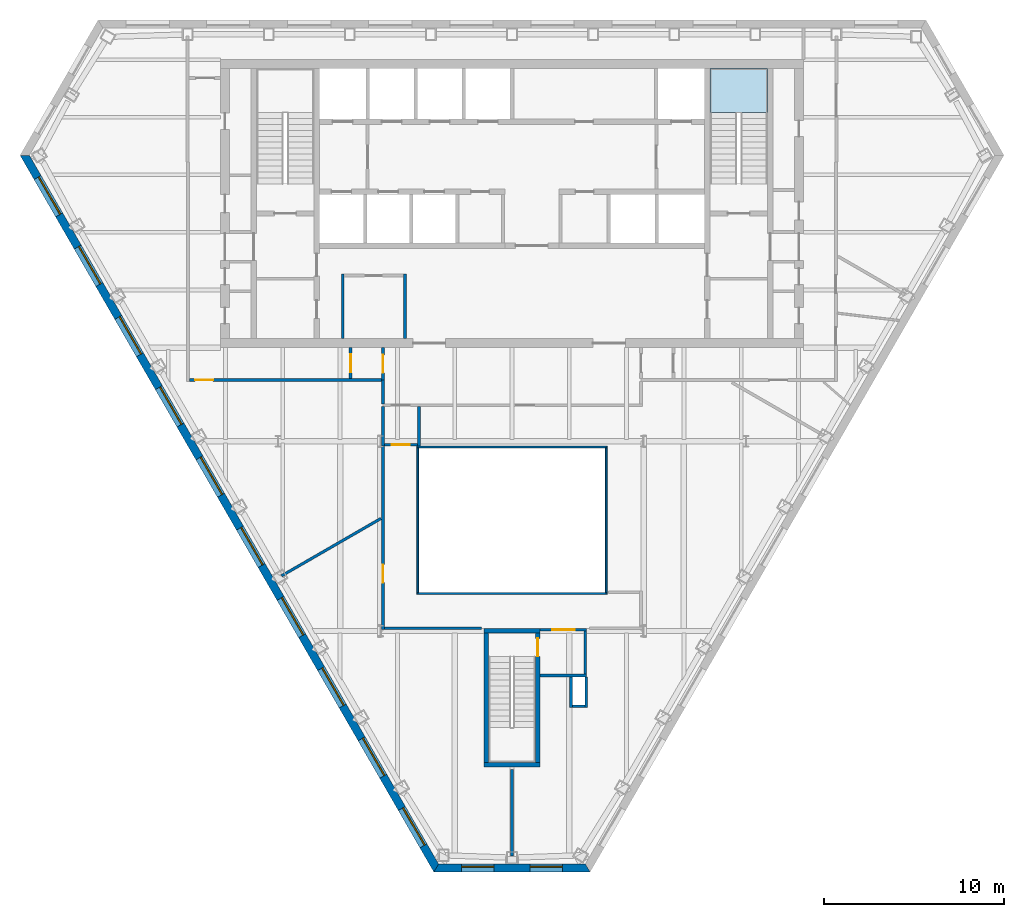
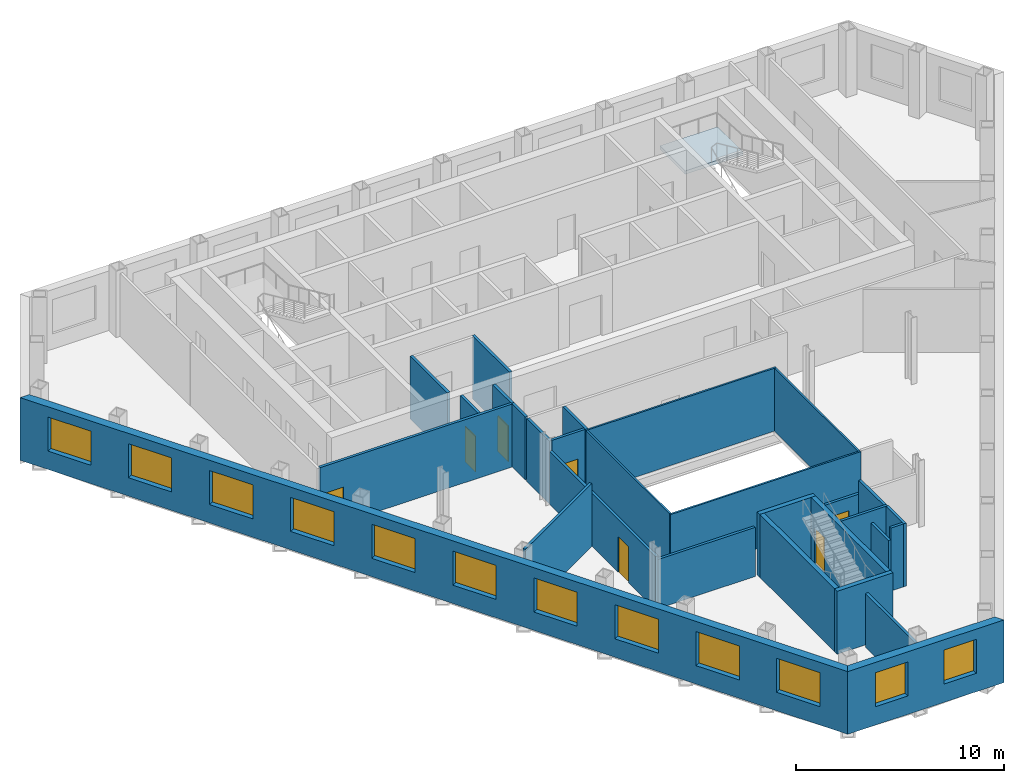
# One storey, part 4 of 11: 29 walls, 12 windows, 7 doors, 1 slab, 19 openings, 1 element without a shape of its own.
"""IFC4 building model written with IfcOpenShell, lengths in metres."""

from ifc_helpers import new_model, si_unit, direction, frame, frame_2d, origin, place, context, subcontext, project, spatial, polyline, rectangle, outline, extrude, material, layer, layer_set, type_object, element, fill, aggregate, save


model = new_model("IFC4")

# Units and contexts
model_context = context("Model", 3, precision=1e-05, world=origin(), true_north=direction((0.0, 1.0)))
body_context = subcontext(model_context, "Body", "Model", "MODEL_VIEW")
ifc_project = project(units=[si_unit("LENGTHUNIT", "METRE"), si_unit("AREAUNIT", "SQUARE_METRE"), si_unit("VOLUMEUNIT", "CUBIC_METRE"), si_unit("PLANEANGLEUNIT", "RADIAN"), si_unit("MASSUNIT", "GRAM", prefix="KILO")], contexts=[model_context])

# Site, building, storey
site_placement = place(None, origin())
site = spatial("IfcSite", under=ifc_project, at=site_placement, CompositionType="ELEMENT")
building_placement = place(site_placement, origin())
building = spatial("IfcBuilding", under=site, at=building_placement, Name="Njiva Tower", CompositionType="ELEMENT")
storey_placement = place(building_placement, frame((0.0, 0.0, 151.5)))
storey = spatial("IfcBuildingStorey", under=building, at=storey_placement, Name="L32", CompositionType="ELEMENT", Elevation=151.5)

# Stair, slab
ifc_material_1 = material(Name="Concrete C40/50", Category="concrete")
stair_type = type_object("IfcStairType", Name="ST4 Exit stair 1500", PredefinedType="HALF_TURN_STAIR", material=ifc_material_1)
stair_placement = place(storey_placement, origin())
stair = element("IfcStair", 1, at=stair_placement, inside=storey, type_object=stair_type, Name="Stair B", PredefinedType="HALF_TURN_STAIR")
ifc_layer_1 = layer(ifc_material_1, 0.2)
ifc_layer_set_1 = layer_set([ifc_layer_1], Name="Concrete C40/50")
slab_type = type_object("IfcSlabType", Name="FL9 Stair landing 200", PredefinedType="LANDING", material=ifc_layer_set_1)
slab_placement = place(storey_placement, frame((0.0, 0.0, 1.75)))
slab = element("IfcSlab", 2, at=slab_placement, type_object=slab_type, Name="ST-B landing 1", PredefinedType="LANDING", context=body_context, shape_type="SweptSolid", body=[
    extrude(outline(polyline([(10.994, 15.06), (14.206, 15.06), (14.206, 17.5), (10.994, 17.5), (10.994, 15.06)])), origin(), (0.0, 0.0, 1.0), 0.2),
])
aggregate(stair, [slab])

# Walls
ifc_material_2 = material(Name="Blockwork", Category="masonry")
ifc_layer_2 = layer(ifc_material_2, 0.15)
ifc_layer_set_2 = layer_set([ifc_layer_2], Name="Blockwork")
wall_type_1 = type_object("IfcWallType", Name="WT1 Compartment partition 150", PredefinedType="PARTITIONING", material=ifc_layer_set_2)
for number, where, z_axis, x_axis, name in (
    (3, (-9.4, 2.5, 0.0), (0.0, 0.0, 1.0), (0.0, 1.0, 0.0), "Information office wall west"),
    (4, (-5.95, 2.5, 0.0), (0.0, 0.0, 1.0), (0.0, 1.0, 0.0), "Information office wall east"),
):
    element("IfcWall", number, at=place(storey_placement, frame(where, z_axis=z_axis, x_axis=x_axis)), inside=storey, type_object=wall_type_1, Name=name, PredefinedType="PARTITIONING", context=body_context, shape_type="SweptSolid", body=[
        extrude(rectangle(XDim=3.575, YDim=0.15, at=frame_2d((1.7875, 0.0))), origin(), (0.0, 0.0, 1.0), 3.7),
    ])

# Wall, opening, door
ifc_material_3 = material(Name="Gypsum board on steel studs", Category="gypsum")
ifc_layer_3 = layer(ifc_material_3, 0.15)
ifc_layer_set_3 = layer_set([ifc_layer_3], Name="Gypsum board on steel studs")
wall_type_2 = type_object("IfcWallType", Name="WT21 Compartment wall 150", PredefinedType="PARTITIONING", material=ifc_layer_set_3)
wall_1_placement = place(storey_placement, frame((-17.925, 0.2, 0.0), z_axis=(0.0, 0.0, 1.0), x_axis=(1.0, 0.0, 0.0)))
wall_1 = element("IfcWall", 5, at=wall_1_placement, inside=storey, type_object=wall_type_2, Name="Partition S11-P004", PredefinedType="PARTITIONING", context=body_context, shape_type="SweptSolid", body=[
    extrude(rectangle(XDim=10.68, YDim=0.15, at=frame_2d((5.34, 0.0))), origin(), (0.0, 0.0, 1.0), 3.7),
])
opening_1_placement = place(wall_1_placement, frame((0.312, 0.0, 0.0)))
opening_1 = element("IfcOpeningElement", 6, at=opening_1_placement, cuts=wall_1, Name="Opening S11-D002", PredefinedType="OPENING", context=body_context, shape_type="SweptSolid", body=[
    extrude(rectangle(XDim=1.0, YDim=2.1, at=frame_2d((0.5, 1.05))), frame((0.0, 0.085, 0.0), z_axis=(0.0, -1.0, 0.0), x_axis=(1.0, 0.0, 0.0)), (0.0, 0.0, 1.0), 0.17),
])
ifc_material_4 = material(Name="Steel fire door set", Category="steel")
door_type_1 = type_object("IfcDoorType", Name="D37 Fire door 1000x2100", OperationType="SINGLE_SWING_LEFT", PredefinedType="DOOR", material=ifc_material_4)
door_1_placement = place(opening_1_placement, origin())
door_1 = element("IfcDoor", 7, at=door_1_placement, inside=storey, type_object=door_type_1, Name="Door S11-D002", OperationType="SINGLE_SWING_LEFT", OverallHeight=2.1, OverallWidth=1.0, PredefinedType="DOOR", context=body_context, shape_type="SweptSolid", body=[
    extrude(rectangle(XDim=1.0, YDim=2.1, at=frame_2d((0.5, 1.05))), frame((0.0, 0.025, 0.0), z_axis=(0.0, -1.0, 0.0), x_axis=(1.0, 0.0, 0.0)), (0.0, 0.0, 1.0), 0.05),
])
fill(opening_1, door_1)

# Wall
wall_2_placement = place(storey_placement, frame((-12.805, -10.684, 0.0), z_axis=(0.0, 0.0, 1.0), x_axis=(0.866073306909, 0.499917020175, 0.0)))
element("IfcWall", 8, at=wall_2_placement, inside=storey, type_object=wall_type_2, Name="Partition S11-P005", PredefinedType="PARTITIONING", context=body_context, shape_type="SweptSolid", body=[
    extrude(rectangle(XDim=6.3771, YDim=0.15, at=frame_2d((3.1886, 0.0))), origin(), (0.0, 0.0, 1.0), 3.7),
])

# Wall, opening, door
wall_3_placement = place(storey_placement, frame((-8.97, 0.275, 0.0), z_axis=(0.0, 0.0, 1.0), x_axis=(0.0, 1.0, 0.0)))
wall_3 = element("IfcWall", 9, at=wall_3_placement, inside=storey, type_object=wall_type_2, Name="Partition S11-P006", PredefinedType="PARTITIONING", context=body_context, shape_type="SweptSolid", body=[
    extrude(rectangle(XDim=1.725, YDim=0.15, at=frame_2d((0.8625, 0.0))), origin(), (0.0, 0.0, 1.0), 3.7),
])
opening_2_placement = place(wall_3_placement, frame((0.363, 0.0, 0.0)))
opening_2 = element("IfcOpeningElement", 10, at=opening_2_placement, cuts=wall_3, Name="Opening S11-D003", PredefinedType="OPENING", context=body_context, shape_type="SweptSolid", body=[
    extrude(rectangle(XDim=1.0, YDim=2.1, at=frame_2d((0.5, 1.05))), frame((0.0, 0.085, 0.0), z_axis=(0.0, -1.0, 0.0), x_axis=(1.0, 0.0, 0.0)), (0.0, 0.0, 1.0), 0.17),
])
door_2_placement = place(opening_2_placement, origin())
door_2 = element("IfcDoor", 11, at=door_2_placement, inside=storey, type_object=door_type_1, Name="Door S11-D003", OperationType="SINGLE_SWING_LEFT", OverallHeight=2.1, OverallWidth=1.0, PredefinedType="DOOR", context=body_context, shape_type="SweptSolid", body=[
    extrude(rectangle(XDim=1.0, YDim=2.1, at=frame_2d((0.5, 1.05))), frame((0.0, 0.025, 0.0), z_axis=(0.0, -1.0, 0.0), x_axis=(1.0, 0.0, 0.0)), (0.0, 0.0, 1.0), 0.05),
])
fill(opening_2, door_2)

wall_4_placement = place(storey_placement, frame((-7.17, -13.675, 0.0), z_axis=(0.0, 0.0, 1.0), x_axis=(0.0, 1.0, 0.0)))
wall_4 = element("IfcWall", 12, at=wall_4_placement, inside=storey, type_object=wall_type_2, Name="Partition S11-P007", PredefinedType="PARTITIONING", context=body_context, shape_type="SweptSolid", body=[
    extrude(rectangle(XDim=10.215, YDim=0.15, at=frame_2d((5.1075, 0.0))), origin(), (0.0, 0.0, 1.0), 3.11),
])
opening_3_placement = place(wall_4_placement, frame((2.608, 0.0, 0.0)))
opening_3 = element("IfcOpeningElement", 13, at=opening_3_placement, cuts=wall_4, Name="Opening S11-D004", PredefinedType="OPENING", context=body_context, shape_type="SweptSolid", body=[
    extrude(rectangle(XDim=1.0, YDim=2.1, at=frame_2d((0.5, 1.05))), frame((0.0, 0.085, 0.0), z_axis=(0.0, -1.0, 0.0), x_axis=(1.0, 0.0, 0.0)), (0.0, 0.0, 1.0), 0.17),
])
door_3_placement = place(opening_3_placement, origin())
door_3 = element("IfcDoor", 14, at=door_3_placement, inside=storey, type_object=door_type_1, Name="Door S11-D004", OperationType="SINGLE_SWING_RIGHT", OverallHeight=2.1, OverallWidth=1.0, PredefinedType="DOOR", context=body_context, shape_type="SweptSolid", body=[
    extrude(rectangle(XDim=1.0, YDim=2.1, at=frame_2d((0.5, 1.05))), frame((0.0, 0.025, 0.0), z_axis=(0.0, -1.0, 0.0), x_axis=(1.0, 0.0, 0.0)), (0.0, 0.0, 1.0), 0.05),
])
fill(opening_3, door_3)

# Walls
wall_5_placement = place(storey_placement, frame((-7.17, -3.46, 0.0), z_axis=(0.0, 0.0, 1.0), x_axis=(0.0, 1.0, 0.0)))
element("IfcWall", 15, at=wall_5_placement, inside=storey, type_object=wall_type_2, Name="Partition S11-P007A", PredefinedType="PARTITIONING", context=body_context, shape_type="SweptSolid", body=[
    extrude(rectangle(XDim=2.185, YDim=0.15, at=frame_2d((1.0925, 0.0))), origin(), (0.0, 0.0, 1.0), 3.7),
])
wall_6_placement = place(storey_placement, frame((-7.17, -1.125, 0.0), z_axis=(0.0, 0.0, 1.0), x_axis=(0.0, 1.0, 0.0)))
element("IfcWall", 16, at=wall_6_placement, inside=storey, type_object=wall_type_2, Name="Partition S11-P009", PredefinedType="PARTITIONING", context=body_context, shape_type="SweptSolid", body=[
    extrude(rectangle(XDim=1.322, YDim=0.15, at=frame_2d((0.661, 0.0))), origin(), (0.0, 0.0, 1.0), 3.7),
])

# Wall, opening, door
wall_7_placement = place(storey_placement, frame((-7.17, 0.2, 0.0), z_axis=(0.0, 0.0, 1.0), x_axis=(0.0, 1.0, 0.0)))
wall_7 = element("IfcWall", 17, at=wall_7_placement, inside=storey, type_object=wall_type_2, Name="Partition S11-P010", PredefinedType="PARTITIONING", context=body_context, shape_type="SweptSolid", body=[
    extrude(rectangle(XDim=1.8, YDim=0.15, at=frame_2d((0.9, 0.0))), origin(), (0.0, 0.0, 1.0), 3.7),
])
opening_4_placement = place(wall_7_placement, frame((0.4, 0.0, 0.0)))
opening_4 = element("IfcOpeningElement", 18, at=opening_4_placement, cuts=wall_7, Name="Opening S11-D007", PredefinedType="OPENING", context=body_context, shape_type="SweptSolid", body=[
    extrude(rectangle(XDim=1.0, YDim=2.1, at=frame_2d((0.5, 1.05))), frame((0.0, 0.085, 0.0), z_axis=(0.0, -1.0, 0.0), x_axis=(1.0, 0.0, 0.0)), (0.0, 0.0, 1.0), 0.17),
])
door_4_placement = place(opening_4_placement, origin())
door_4 = element("IfcDoor", 19, at=door_4_placement, inside=storey, type_object=door_type_1, Name="Door S11-D007", OperationType="SINGLE_SWING_LEFT", OverallHeight=2.1, OverallWidth=1.0, PredefinedType="DOOR", context=body_context, shape_type="SweptSolid", body=[
    extrude(rectangle(XDim=1.0, YDim=2.1, at=frame_2d((0.5, 1.05))), frame((0.0, 0.025, 0.0), z_axis=(0.0, -1.0, 0.0), x_axis=(1.0, 0.0, 0.0)), (0.0, 0.0, 1.0), 0.05),
])
fill(opening_4, door_4)

# Wall
wall_8_placement = place(storey_placement, frame((-7.095, -13.6, 0.0), z_axis=(0.0, 0.0, 1.0), x_axis=(1.0, 0.0, 0.0)))
element("IfcWall", 20, at=wall_8_placement, inside=storey, type_object=wall_type_2, Name="Partition S11-P011", PredefinedType="PARTITIONING", context=body_context, shape_type="SweptSolid", body=[
    extrude(rectangle(XDim=5.395, YDim=0.15, at=frame_2d((2.6975, 0.0))), origin(), (0.0, 0.0, 1.0), 2.886),
])

# Wall, opening, door
wall_9_placement = place(storey_placement, frame((-7.095, -3.4, 0.0), z_axis=(0.0, 0.0, 1.0), x_axis=(1.0, 0.0, 0.0)))
wall_9 = element("IfcWall", 21, at=wall_9_placement, inside=storey, type_object=wall_type_2, Name="Partition S11-P012", PredefinedType="PARTITIONING", context=body_context, shape_type="SweptSolid", body=[
    extrude(rectangle(XDim=1.85, YDim=0.15, at=frame_2d((0.925, 0.0))), origin(), (0.0, 0.0, 1.0), 3.7),
])
opening_5_placement = place(wall_9_placement, frame((0.425, 0.0, 0.0)))
opening_5 = element("IfcOpeningElement", 22, at=opening_5_placement, cuts=wall_9, Name="Opening S11-D008", PredefinedType="OPENING", context=body_context, shape_type="SweptSolid", body=[
    extrude(rectangle(XDim=1.0, YDim=2.1, at=frame_2d((0.5, 1.05))), frame((0.0, 0.085, 0.0), z_axis=(0.0, -1.0, 0.0), x_axis=(1.0, 0.0, 0.0)), (0.0, 0.0, 1.0), 0.17),
])
door_5_placement = place(opening_5_placement, origin())
door_5 = element("IfcDoor", 23, at=door_5_placement, inside=storey, type_object=door_type_1, Name="Door S11-D008", OperationType="SINGLE_SWING_LEFT", OverallHeight=2.1, OverallWidth=1.0, PredefinedType="DOOR", context=body_context, shape_type="SweptSolid", body=[
    extrude(rectangle(XDim=1.0, YDim=2.1, at=frame_2d((0.5, 1.05))), frame((0.0, 0.025, 0.0), z_axis=(0.0, -1.0, 0.0), x_axis=(1.0, 0.0, 0.0)), (0.0, 0.0, 1.0), 0.05),
])
fill(opening_5, door_5)

# Walls
wall_10_placement = place(storey_placement, frame((-5.17, -3.48, 0.0), z_axis=(0.0, 0.0, 1.0), x_axis=(0.0, 1.0, 0.0)))
element("IfcWall", 24, at=wall_10_placement, inside=storey, type_object=wall_type_2, Name="Partition S11-P013", PredefinedType="PARTITIONING", context=body_context, shape_type="SweptSolid", body=[
    extrude(rectangle(XDim=2.205, YDim=0.15, at=frame_2d((1.1025, 0.0))), origin(), (0.0, 0.0, 1.0), 3.7),
])
wall_11_placement = place(storey_placement, frame((0.0, -26.246, 0.0), z_axis=(0.0, 0.0, 1.0), x_axis=(0.0, 1.0, 0.0)))
element("IfcWall", 25, at=wall_11_placement, inside=storey, type_object=wall_type_2, Name="Partition S11-P014", PredefinedType="PARTITIONING", context=body_context, shape_type="SweptSolid", body=[
    extrude(rectangle(XDim=4.796, YDim=0.15, at=frame_2d((2.398, 0.0))), origin(), (0.0, 0.0, 1.0), 3.15),
])
ifc_layer_4 = layer(ifc_material_2, 0.15)
ifc_layer_set_4 = layer_set([ifc_layer_4], Name="Blockwork")
wall_type_3 = type_object("IfcWallType", Name="WT4 Stair partition 150", PredefinedType="PARTITIONING", material=ifc_layer_set_4)
wall_12_placement = place(storey_placement, frame((1.55, -16.225, 0.0), z_axis=(0.0, 0.0, 1.0), x_axis=(1.0, 0.0, 0.0)))
element("IfcWall", 26, at=wall_12_placement, inside=storey, type_object=wall_type_3, Name="Stair C vestibule wall south", PredefinedType="PARTITIONING", context=body_context, shape_type="SweptSolid", body=[
    extrude(rectangle(XDim=2.6, YDim=0.15, at=frame_2d((1.3, 0.0))), origin(), (0.0, 0.0, 1.0), 3.7),
])
wall_13_placement = place(storey_placement, frame((4.075, -16.15, 0.0), z_axis=(0.0, 0.0, 1.0), x_axis=(0.0, 1.0, 0.0)))
element("IfcWall", 27, at=wall_13_placement, inside=storey, type_object=wall_type_3, Name="Stair C vestibule wall east", PredefinedType="PARTITIONING", context=body_context, shape_type="SweptSolid", body=[
    extrude(rectangle(XDim=2.4, YDim=0.15, at=frame_2d((1.2, 0.0))), origin(), (0.0, 0.0, 1.0), 3.7),
])

# Wall, opening, door
wall_14_placement = place(storey_placement, frame((1.55, -13.675, 0.0), z_axis=(0.0, 0.0, 1.0), x_axis=(1.0, 0.0, 0.0)))
wall_14 = element("IfcWall", 28, at=wall_14_placement, inside=storey, type_object=wall_type_3, Name="Stair C vestibule wall north", PredefinedType="PARTITIONING", context=body_context, shape_type="SweptSolid", body=[
    extrude(rectangle(XDim=2.6, YDim=0.15, at=frame_2d((1.3, 0.0))), origin(), (0.0, 0.0, 1.0), 2.886),
])
opening_6_placement = place(wall_14_placement, frame((0.675, 0.0, 0.0)))
opening_6 = element("IfcOpeningElement", 29, at=opening_6_placement, cuts=wall_14, Name="Opening S11-D937", PredefinedType="OPENING", context=body_context, shape_type="SweptSolid", body=[
    extrude(rectangle(XDim=1.25, YDim=2.1, at=frame_2d((0.625, 1.05))), frame((0.0, 0.085, 0.0), z_axis=(0.0, -1.0, 0.0), x_axis=(1.0, 0.0, 0.0)), (0.0, 0.0, 1.0), 0.17),
])
ifc_material_5 = material(Name="Glazed steel fire door", Category="steel")
door_type_2 = type_object("IfcDoorType", Name="D8 Vestibule corridor door 1250x2100 glazed", OperationType="SINGLE_SWING_LEFT", PredefinedType="DOOR", material=ifc_material_5)
door_6_placement = place(opening_6_placement, origin())
door_6 = element("IfcDoor", 30, at=door_6_placement, inside=storey, type_object=door_type_2, Name="Stair vestibule corridor door", OperationType="SINGLE_SWING_RIGHT", OverallHeight=2.1, OverallWidth=1.25, PredefinedType="DOOR", context=body_context, shape_type="SweptSolid", body=[
    extrude(rectangle(XDim=1.25, YDim=2.1, at=frame_2d((0.625, 1.05))), frame((0.0, 0.025, 0.0), z_axis=(0.0, -1.0, 0.0), x_axis=(1.0, 0.0, 0.0)), (0.0, 0.0, 1.0), 0.05),
])
fill(opening_6, door_6)

# Walls
wall_15_placement = place(storey_placement, frame((3.275, -18.0, 0.0), z_axis=(0.0, 0.0, 1.0), x_axis=(0.0, 1.0, 0.0)))
element("IfcWall", 31, at=wall_15_placement, inside=storey, type_object=wall_type_3, Name="Stair C pressurisation shaft wall", PredefinedType="PARTITIONING", context=body_context, shape_type="SweptSolid", body=[
    extrude(rectangle(XDim=1.7, YDim=0.15, at=frame_2d((0.85, 0.0))), origin(), (0.0, 0.0, 1.0), 3.01),
])
wall_16_placement = place(storey_placement, frame((3.35, -17.925, 0.0), z_axis=(0.0, 0.0, 1.0), x_axis=(1.0, 0.0, 0.0)))
element("IfcWall", 32, at=wall_16_placement, inside=storey, type_object=wall_type_3, Name="Stair C pressurisation shaft wall", PredefinedType="PARTITIONING", context=body_context, shape_type="SweptSolid", body=[
    extrude(rectangle(XDim=0.7, YDim=0.15, at=frame_2d((0.35, 0.0))), origin(), (0.0, 0.0, 1.0), 3.7),
])
wall_17_placement = place(storey_placement, frame((4.125, -18.0, 0.0), z_axis=(0.0, 0.0, 1.0), x_axis=(0.0, 1.0, 0.0)))
element("IfcWall", 33, at=wall_17_placement, inside=storey, type_object=wall_type_3, Name="Stair C pressurisation shaft wall", PredefinedType="PARTITIONING", context=body_context, shape_type="SweptSolid", body=[
    extrude(rectangle(XDim=1.7, YDim=0.15, at=frame_2d((0.85, 0.0))), origin(), (0.0, 0.0, 1.0), 3.7),
])
ifc_layer_5 = layer(ifc_material_1, 0.25)
ifc_layer_set_5 = layer_set([ifc_layer_5], Name="Concrete C40/50")
wall_type_4 = type_object("IfcWallType", Name="WT9 Stair enclosure wall 250", PredefinedType="SHEAR", material=ifc_layer_set_5)
wall_18_placement = place(storey_placement, frame((-1.425, -21.05, 0.0), z_axis=(0.0, 0.0, 1.0), x_axis=(0.0, 1.0, 0.0)))
element("IfcWall", 34, at=wall_18_placement, inside=storey, type_object=wall_type_4, Name="Stair C wall west", PredefinedType="SHEAR", context=body_context, shape_type="SweptSolid", body=[
    extrude(rectangle(XDim=7.2, YDim=0.25, at=frame_2d((3.6, 0.0))), origin(), (0.0, 0.0, 1.0), 3.7),
])

# Wall, opening, door
wall_19_placement = place(storey_placement, frame((1.425, -21.05, 0.0), z_axis=(0.0, 0.0, 1.0), x_axis=(0.0, 1.0, 0.0)))
wall_19 = element("IfcWall", 35, at=wall_19_placement, inside=storey, type_object=wall_type_4, Name="Stair C wall east", PredefinedType="SHEAR", context=body_context, shape_type="SweptSolid", body=[
    extrude(rectangle(XDim=7.2, YDim=0.25, at=frame_2d((3.6, 0.0))), origin(), (0.0, 0.0, 1.0), 3.7),
])
opening_7_placement = place(wall_19_placement, frame((5.89, 0.0, 0.0)))
opening_7 = element("IfcOpeningElement", 36, at=opening_7_placement, cuts=wall_19, Name="Opening S11-D936", PredefinedType="OPENING", context=body_context, shape_type="SweptSolid", body=[
    extrude(rectangle(XDim=1.0, YDim=2.1, at=frame_2d((0.5, 1.05))), frame((0.0, 0.135, 0.0), z_axis=(0.0, -1.0, 0.0), x_axis=(1.0, 0.0, 0.0)), (0.0, 0.0, 1.0), 0.27),
])
door_type_3 = type_object("IfcDoorType", Name="D9 Stair vestibule door 1000x2100 glazed", OperationType="SINGLE_SWING_LEFT", PredefinedType="DOOR", material=ifc_material_5)
door_7_placement = place(opening_7_placement, origin())
door_7 = element("IfcDoor", 37, at=door_7_placement, inside=storey, type_object=door_type_3, Name="Stair C door", OperationType="SINGLE_SWING_LEFT", OverallHeight=2.1, OverallWidth=1.0, PredefinedType="DOOR", context=body_context, shape_type="SweptSolid", body=[
    extrude(rectangle(XDim=1.0, YDim=2.1, at=frame_2d((0.5, 1.05))), frame((0.0, 0.025, 0.0), z_axis=(0.0, -1.0, 0.0), x_axis=(1.0, 0.0, 0.0)), (0.0, 0.0, 1.0), 0.05),
])
fill(opening_7, door_7)

# Walls
for number, where, z_axis, x_axis, name in (
    (38, (-1.55, -21.175, 0.0), (0.0, 0.0, 1.0), (1.0, 0.0, 0.0), "Stair C wall south"),
    (39, (-1.55, -13.725, 0.0), (0.0, 0.0, 1.0), (1.0, 0.0, 0.0), "Stair C wall north"),
):
    element("IfcWall", number, at=place(storey_placement, frame(where, z_axis=z_axis, x_axis=x_axis)), inside=storey, type_object=wall_type_4, Name=name, PredefinedType="SHEAR", context=body_context, shape_type="SweptSolid", body=[
        extrude(rectangle(XDim=3.1, YDim=0.25, at=frame_2d((1.55, 0.0))), origin(), (0.0, 0.0, 1.0), 3.7),
    ])

# Wall, openings, windows
ifc_material_6 = material(Name="Brick masonry", Category="masonry")
ifc_layer_6 = layer(ifc_material_6, 0.45)
ifc_layer_set_6 = layer_set([ifc_layer_6], Name="Brick masonry")
wall_type_5 = type_object("IfcWallType", Name="WT90 Brick pier and spandrel wall 450", PredefinedType="SOLIDWALL", material=ifc_layer_set_6)
wall_20_placement = place(storey_placement, frame((-27.0752, 12.6829, -0.18), z_axis=(0.0, 0.0, 1.0), x_axis=(0.500000141277, -0.866025322218, 0.0)))
wall_20 = element("IfcWall", 40, at=wall_20_placement, inside=storey, type_object=wall_type_5, Name="Facade wall SW", PredefinedType="SOLIDWALL", context=body_context, shape_type="SweptSolid", body=[
    extrude(outline(polyline([(-0.1299, -0.225), (45.8601, -0.225), (45.6003, 0.225), (0.1299, 0.225), (-0.1299, -0.225)])), origin(), (0.0, 0.0, 1.0), 3.68),
])
opening_8_placement = place(wall_20_placement, frame((1.4237, 0.0, 1.08)))
opening_8 = element("IfcOpeningElement", 41, at=opening_8_placement, cuts=wall_20, Name="Opening S11-W12", PredefinedType="OPENING", context=body_context, shape_type="SweptSolid", body=[
    extrude(rectangle(XDim=2.4, YDim=2.0, at=frame_2d((1.2, 1.0))), frame((0.0, 0.235, 0.0), z_axis=(0.0, -1.0, 0.0), x_axis=(1.0, 0.0, 0.0)), (0.0, 0.0, 1.0), 0.47),
])
opening_9_placement = place(wall_20_placement, frame((5.8919, 0.0, 1.08)))
opening_9 = element("IfcOpeningElement", 42, at=opening_9_placement, cuts=wall_20, Name="Opening S11-W13", PredefinedType="OPENING", context=body_context, shape_type="SweptSolid", body=[
    extrude(rectangle(XDim=2.4, YDim=2.0, at=frame_2d((1.2, 1.0))), frame((0.0, 0.235, 0.0), z_axis=(0.0, -1.0, 0.0), x_axis=(1.0, 0.0, 0.0)), (0.0, 0.0, 1.0), 0.47),
])
opening_10_placement = place(wall_20_placement, frame((10.3985, 0.0, 1.08)))
opening_10 = element("IfcOpeningElement", 43, at=opening_10_placement, cuts=wall_20, Name="Opening S11-W14", PredefinedType="OPENING", context=body_context, shape_type="SweptSolid", body=[
    extrude(rectangle(XDim=2.4, YDim=2.0, at=frame_2d((1.2, 1.0))), frame((0.0, 0.235, 0.0), z_axis=(0.0, -1.0, 0.0), x_axis=(1.0, 0.0, 0.0)), (0.0, 0.0, 1.0), 0.47),
])
opening_11_placement = place(wall_20_placement, frame((14.9052, 0.0, 1.08)))
opening_11 = element("IfcOpeningElement", 44, at=opening_11_placement, cuts=wall_20, Name="Opening S11-W15", PredefinedType="OPENING", context=body_context, shape_type="SweptSolid", body=[
    extrude(rectangle(XDim=2.4, YDim=2.0, at=frame_2d((1.2, 1.0))), frame((0.0, 0.235, 0.0), z_axis=(0.0, -1.0, 0.0), x_axis=(1.0, 0.0, 0.0)), (0.0, 0.0, 1.0), 0.47),
])
opening_12_placement = place(wall_20_placement, frame((19.4118, 0.0, 1.08)))
opening_12 = element("IfcOpeningElement", 45, at=opening_12_placement, cuts=wall_20, Name="Opening S11-W16", PredefinedType="OPENING", context=body_context, shape_type="SweptSolid", body=[
    extrude(rectangle(XDim=2.4, YDim=2.0, at=frame_2d((1.2, 1.0))), frame((0.0, 0.235, 0.0), z_axis=(0.0, -1.0, 0.0), x_axis=(1.0, 0.0, 0.0)), (0.0, 0.0, 1.0), 0.47),
])
opening_13_placement = place(wall_20_placement, frame((23.9184, 0.0, 1.08)))
opening_13 = element("IfcOpeningElement", 46, at=opening_13_placement, cuts=wall_20, Name="Opening S11-W17", PredefinedType="OPENING", context=body_context, shape_type="SweptSolid", body=[
    extrude(rectangle(XDim=2.4, YDim=2.0, at=frame_2d((1.2, 1.0))), frame((0.0, 0.235, 0.0), z_axis=(0.0, -1.0, 0.0), x_axis=(1.0, 0.0, 0.0)), (0.0, 0.0, 1.0), 0.47),
])
opening_14_placement = place(wall_20_placement, frame((28.425, 0.0, 1.08)))
opening_14 = element("IfcOpeningElement", 47, at=opening_14_placement, cuts=wall_20, Name="Opening S11-W18", PredefinedType="OPENING", context=body_context, shape_type="SweptSolid", body=[
    extrude(rectangle(XDim=2.4, YDim=2.0, at=frame_2d((1.2, 1.0))), frame((0.0, 0.235, 0.0), z_axis=(0.0, -1.0, 0.0), x_axis=(1.0, 0.0, 0.0)), (0.0, 0.0, 1.0), 0.47),
])
opening_15_placement = place(wall_20_placement, frame((32.9316, 0.0, 1.08)))
opening_15 = element("IfcOpeningElement", 48, at=opening_15_placement, cuts=wall_20, Name="Opening S11-W19", PredefinedType="OPENING", context=body_context, shape_type="SweptSolid", body=[
    extrude(rectangle(XDim=2.4, YDim=2.0, at=frame_2d((1.2, 1.0))), frame((0.0, 0.235, 0.0), z_axis=(0.0, -1.0, 0.0), x_axis=(1.0, 0.0, 0.0)), (0.0, 0.0, 1.0), 0.47),
])
opening_16_placement = place(wall_20_placement, frame((37.4383, 0.0, 1.08)))
opening_16 = element("IfcOpeningElement", 49, at=opening_16_placement, cuts=wall_20, Name="Opening S11-W20", PredefinedType="OPENING", context=body_context, shape_type="SweptSolid", body=[
    extrude(rectangle(XDim=2.4, YDim=2.0, at=frame_2d((1.2, 1.0))), frame((0.0, 0.235, 0.0), z_axis=(0.0, -1.0, 0.0), x_axis=(1.0, 0.0, 0.0)), (0.0, 0.0, 1.0), 0.47),
])
opening_17_placement = place(wall_20_placement, frame((41.9065, 0.0, 1.08)))
opening_17 = element("IfcOpeningElement", 50, at=opening_17_placement, cuts=wall_20, Name="Opening S11-W21", PredefinedType="OPENING", context=body_context, shape_type="SweptSolid", body=[
    extrude(rectangle(XDim=2.4, YDim=2.0, at=frame_2d((1.2, 1.0))), frame((0.0, 0.235, 0.0), z_axis=(0.0, -1.0, 0.0), x_axis=(1.0, 0.0, 0.0)), (0.0, 0.0, 1.0), 0.47),
])
ifc_material_7 = material(Name="Clear glazing in aluminium frame", Category="aluminium")
window_type_1 = type_object("IfcWindowType", Name="W90 Deep-set window 2400x2000", PartitioningType="SINGLE_PANEL", PredefinedType="WINDOW", material=ifc_material_7)
window_1_placement = place(opening_8_placement, origin())
window_1 = element("IfcWindow", 51, at=window_1_placement, inside=storey, type_object=window_type_1, Name="Window", OverallHeight=2.0, OverallWidth=2.4, PartitioningType="SINGLE_PANEL", PredefinedType="WINDOW", context=body_context, shape_type="SweptSolid", body=[
    extrude(rectangle(XDim=2.4, YDim=2.0, at=frame_2d((1.2, 1.0))), frame((0.0, 0.105, 0.0), z_axis=(0.0, -1.0, 0.0), x_axis=(1.0, 0.0, 0.0)), (0.0, 0.0, 1.0), 0.06),
])
fill(opening_8, window_1)
window_2_placement = place(opening_9_placement, origin())
window_2 = element("IfcWindow", 52, at=window_2_placement, inside=storey, type_object=window_type_1, Name="Window", OverallHeight=2.0, OverallWidth=2.4, PartitioningType="SINGLE_PANEL", PredefinedType="WINDOW", context=body_context, shape_type="SweptSolid", body=[
    extrude(rectangle(XDim=2.4, YDim=2.0, at=frame_2d((1.2, 1.0))), frame((0.0, 0.105, 0.0), z_axis=(0.0, -1.0, 0.0), x_axis=(1.0, 0.0, 0.0)), (0.0, 0.0, 1.0), 0.06),
])
fill(opening_9, window_2)
window_3_placement = place(opening_10_placement, origin())
window_3 = element("IfcWindow", 53, at=window_3_placement, inside=storey, type_object=window_type_1, Name="Window", OverallHeight=2.0, OverallWidth=2.4, PartitioningType="SINGLE_PANEL", PredefinedType="WINDOW", context=body_context, shape_type="SweptSolid", body=[
    extrude(rectangle(XDim=2.4, YDim=2.0, at=frame_2d((1.2, 1.0))), frame((0.0, 0.105, 0.0), z_axis=(0.0, -1.0, 0.0), x_axis=(1.0, 0.0, 0.0)), (0.0, 0.0, 1.0), 0.06),
])
fill(opening_10, window_3)
window_4_placement = place(opening_11_placement, origin())
window_4 = element("IfcWindow", 54, at=window_4_placement, inside=storey, type_object=window_type_1, Name="Window", OverallHeight=2.0, OverallWidth=2.4, PartitioningType="SINGLE_PANEL", PredefinedType="WINDOW", context=body_context, shape_type="SweptSolid", body=[
    extrude(rectangle(XDim=2.4, YDim=2.0, at=frame_2d((1.2, 1.0))), frame((0.0, 0.105, 0.0), z_axis=(0.0, -1.0, 0.0), x_axis=(1.0, 0.0, 0.0)), (0.0, 0.0, 1.0), 0.06),
])
fill(opening_11, window_4)
window_5_placement = place(opening_12_placement, origin())
window_5 = element("IfcWindow", 55, at=window_5_placement, inside=storey, type_object=window_type_1, Name="Window", OverallHeight=2.0, OverallWidth=2.4, PartitioningType="SINGLE_PANEL", PredefinedType="WINDOW", context=body_context, shape_type="SweptSolid", body=[
    extrude(rectangle(XDim=2.4, YDim=2.0, at=frame_2d((1.2, 1.0))), frame((0.0, 0.105, 0.0), z_axis=(0.0, -1.0, 0.0), x_axis=(1.0, 0.0, 0.0)), (0.0, 0.0, 1.0), 0.06),
])
fill(opening_12, window_5)
window_6_placement = place(opening_13_placement, origin())
window_6 = element("IfcWindow", 56, at=window_6_placement, inside=storey, type_object=window_type_1, Name="Window", OverallHeight=2.0, OverallWidth=2.4, PartitioningType="SINGLE_PANEL", PredefinedType="WINDOW", context=body_context, shape_type="SweptSolid", body=[
    extrude(rectangle(XDim=2.4, YDim=2.0, at=frame_2d((1.2, 1.0))), frame((0.0, 0.105, 0.0), z_axis=(0.0, -1.0, 0.0), x_axis=(1.0, 0.0, 0.0)), (0.0, 0.0, 1.0), 0.06),
])
fill(opening_13, window_6)
window_7_placement = place(opening_14_placement, origin())
window_7 = element("IfcWindow", 57, at=window_7_placement, inside=storey, type_object=window_type_1, Name="Window", OverallHeight=2.0, OverallWidth=2.4, PartitioningType="SINGLE_PANEL", PredefinedType="WINDOW", context=body_context, shape_type="SweptSolid", body=[
    extrude(rectangle(XDim=2.4, YDim=2.0, at=frame_2d((1.2, 1.0))), frame((0.0, 0.105, 0.0), z_axis=(0.0, -1.0, 0.0), x_axis=(1.0, 0.0, 0.0)), (0.0, 0.0, 1.0), 0.06),
])
fill(opening_14, window_7)
window_8_placement = place(opening_15_placement, origin())
window_8 = element("IfcWindow", 58, at=window_8_placement, inside=storey, type_object=window_type_1, Name="Window", OverallHeight=2.0, OverallWidth=2.4, PartitioningType="SINGLE_PANEL", PredefinedType="WINDOW", context=body_context, shape_type="SweptSolid", body=[
    extrude(rectangle(XDim=2.4, YDim=2.0, at=frame_2d((1.2, 1.0))), frame((0.0, 0.105, 0.0), z_axis=(0.0, -1.0, 0.0), x_axis=(1.0, 0.0, 0.0)), (0.0, 0.0, 1.0), 0.06),
])
fill(opening_15, window_8)
window_9_placement = place(opening_16_placement, origin())
window_9 = element("IfcWindow", 59, at=window_9_placement, inside=storey, type_object=window_type_1, Name="Window", OverallHeight=2.0, OverallWidth=2.4, PartitioningType="SINGLE_PANEL", PredefinedType="WINDOW", context=body_context, shape_type="SweptSolid", body=[
    extrude(rectangle(XDim=2.4, YDim=2.0, at=frame_2d((1.2, 1.0))), frame((0.0, 0.105, 0.0), z_axis=(0.0, -1.0, 0.0), x_axis=(1.0, 0.0, 0.0)), (0.0, 0.0, 1.0), 0.06),
])
fill(opening_16, window_9)
window_10_placement = place(opening_17_placement, origin())
window_10 = element("IfcWindow", 60, at=window_10_placement, inside=storey, type_object=window_type_1, Name="Window", OverallHeight=2.0, OverallWidth=2.4, PartitioningType="SINGLE_PANEL", PredefinedType="WINDOW", context=body_context, shape_type="SweptSolid", body=[
    extrude(rectangle(XDim=2.4, YDim=2.0, at=frame_2d((1.2, 1.0))), frame((0.0, 0.105, 0.0), z_axis=(0.0, -1.0, 0.0), x_axis=(1.0, 0.0, 0.0)), (0.0, 0.0, 1.0), 0.06),
])
fill(opening_17, window_10)

ifc_material_8 = material(Name="Brick masonry, buff", Category="masonry")
ifc_layer_7 = layer(ifc_material_8, 0.45)
ifc_layer_set_7 = layer_set([ifc_layer_7], Name="Brick masonry, buff")
wall_type_6 = type_object("IfcWallType", Name="WT94 Brick pier and spandrel wall 450, buff", PredefinedType="SOLIDWALL", material=ifc_layer_set_7)
wall_21_placement = place(storey_placement, frame((-4.2101, -26.9206, -0.18), z_axis=(0.0, 0.0, 1.0), x_axis=(1.0, 0.0, 0.0)))
wall_21 = element("IfcWall", 61, at=wall_21_placement, inside=storey, type_object=wall_type_6, Name="Facade wall S", PredefinedType="SOLIDWALL", context=body_context, shape_type="SweptSolid", body=[
    extrude(outline(polyline([(-0.1299, -0.225), (8.5501, -0.225), (8.2903, 0.225), (0.1299, 0.225), (-0.1299, -0.225)])), origin(), (0.0, 0.0, 1.0), 3.68),
])
opening_18_placement = place(wall_21_placement, frame((1.4094, 0.0, 1.08)))
opening_18 = element("IfcOpeningElement", 62, at=opening_18_placement, cuts=wall_21, Name="Opening S11-W22", PredefinedType="OPENING", context=body_context, shape_type="SweptSolid", body=[
    extrude(rectangle(XDim=1.8, YDim=2.0, at=frame_2d((0.9, 1.0))), frame((0.0, 0.235, 0.0), z_axis=(0.0, -1.0, 0.0), x_axis=(1.0, 0.0, 0.0)), (0.0, 0.0, 1.0), 0.47),
])
opening_19_placement = place(wall_21_placement, frame((5.2107, 0.0, 1.08)))
opening_19 = element("IfcOpeningElement", 63, at=opening_19_placement, cuts=wall_21, Name="Opening S11-W23", PredefinedType="OPENING", context=body_context, shape_type="SweptSolid", body=[
    extrude(rectangle(XDim=1.8, YDim=2.0, at=frame_2d((0.9, 1.0))), frame((0.0, 0.235, 0.0), z_axis=(0.0, -1.0, 0.0), x_axis=(1.0, 0.0, 0.0)), (0.0, 0.0, 1.0), 0.47),
])
window_type_2 = type_object("IfcWindowType", Name="W94 Deep-set window 1800x2000", PartitioningType="SINGLE_PANEL", PredefinedType="WINDOW", material=ifc_material_7)
window_11_placement = place(opening_18_placement, origin())
window_11 = element("IfcWindow", 64, at=window_11_placement, inside=storey, type_object=window_type_2, Name="Window", OverallHeight=2.0, OverallWidth=1.8, PartitioningType="SINGLE_PANEL", PredefinedType="WINDOW", context=body_context, shape_type="SweptSolid", body=[
    extrude(rectangle(XDim=1.8, YDim=2.0, at=frame_2d((0.9, 1.0))), frame((0.0, 0.105, 0.0), z_axis=(0.0, -1.0, 0.0), x_axis=(1.0, 0.0, 0.0)), (0.0, 0.0, 1.0), 0.06),
])
fill(opening_18, window_11)
window_12_placement = place(opening_19_placement, origin())
window_12 = element("IfcWindow", 65, at=window_12_placement, inside=storey, type_object=window_type_2, Name="Window", OverallHeight=2.0, OverallWidth=1.8, PartitioningType="SINGLE_PANEL", PredefinedType="WINDOW", context=body_context, shape_type="SweptSolid", body=[
    extrude(rectangle(XDim=1.8, YDim=2.0, at=frame_2d((0.9, 1.0))), frame((0.0, 0.105, 0.0), z_axis=(0.0, -1.0, 0.0), x_axis=(1.0, 0.0, 0.0)), (0.0, 0.0, 1.0), 0.06),
])
fill(opening_19, window_12)

# Walls
ifc_material_9 = material(Name="Fire-resisting glazing EI 90", Category="glass")
ifc_layer_8 = layer(ifc_material_9, 0.1)
ifc_layer_set_8 = layer_set([ifc_layer_8], Name="Fire-resisting glazing EI 90")
wall_type_7 = type_object("IfcWallType", Name="WT95 Fire-resisting glazed screen EI 90", PredefinedType="PARTITIONING", material=ifc_layer_set_8)
wall_22_placement = place(storey_placement, frame((-5.29, -11.67, 0.0), z_axis=(0.0, 0.0, 1.0), x_axis=(1.0, 0.0, 0.0)))
element("IfcWall", 66, at=wall_22_placement, inside=storey, type_object=wall_type_7, Name="Atrium fire screen south", PredefinedType="PARTITIONING", context=body_context, shape_type="SweptSolid", body=[
    extrude(rectangle(XDim=10.58, YDim=0.1, at=frame_2d((5.29, 0.0))), origin(), (0.0, 0.0, 1.0), 3.7),
])
wall_23_placement = place(storey_placement, frame((5.24, -11.62, 0.0), z_axis=(0.0, 0.0, 1.0), x_axis=(0.0, 1.0, 0.0)))
element("IfcWall", 67, at=wall_23_placement, inside=storey, type_object=wall_type_7, Name="Atrium fire screen east", PredefinedType="PARTITIONING", context=body_context, shape_type="SweptSolid", body=[
    extrude(rectangle(XDim=8.04, YDim=0.1, at=frame_2d((4.02, 0.0))), origin(), (0.0, 0.0, 1.0), 3.7),
])
wall_24_placement = place(storey_placement, frame((5.29, -3.53, 0.0), z_axis=(0.0, 0.0, 1.0), x_axis=(-1.0, 0.0, 0.0)))
element("IfcWall", 68, at=wall_24_placement, inside=storey, type_object=wall_type_7, Name="Atrium fire screen north", PredefinedType="PARTITIONING", context=body_context, shape_type="SweptSolid", body=[
    extrude(rectangle(XDim=10.58, YDim=0.1, at=frame_2d((5.29, 0.0))), origin(), (0.0, 0.0, 1.0), 3.7),
])
wall_25_placement = place(storey_placement, frame((-5.24, -3.58, 0.0), z_axis=(0.0, 0.0, 1.0), x_axis=(0.0, -1.0, 0.0)))
element("IfcWall", 69, at=wall_25_placement, inside=storey, type_object=wall_type_7, Name="Atrium fire screen west", PredefinedType="PARTITIONING", context=body_context, shape_type="SweptSolid", body=[
    extrude(rectangle(XDim=8.04, YDim=0.1, at=frame_2d((4.02, 0.0))), origin(), (0.0, 0.0, 1.0), 3.7),
])

save(model, "model.ifc")
